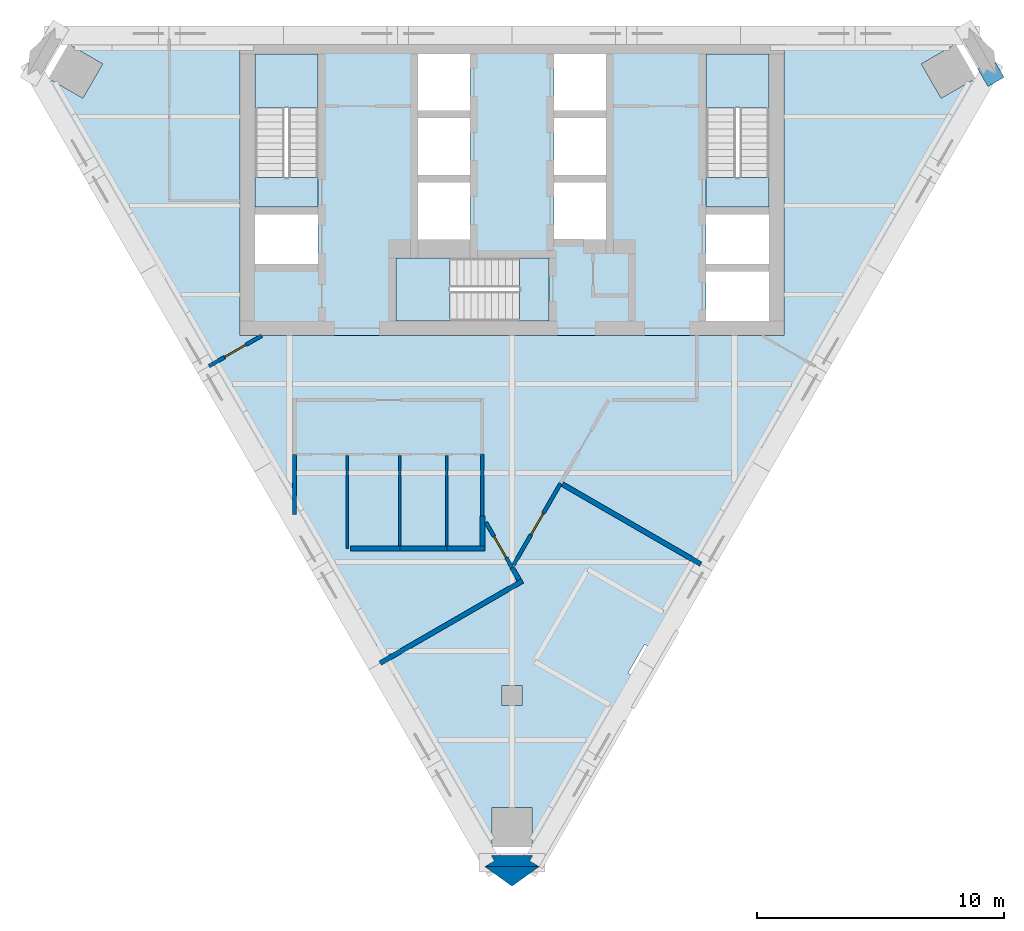
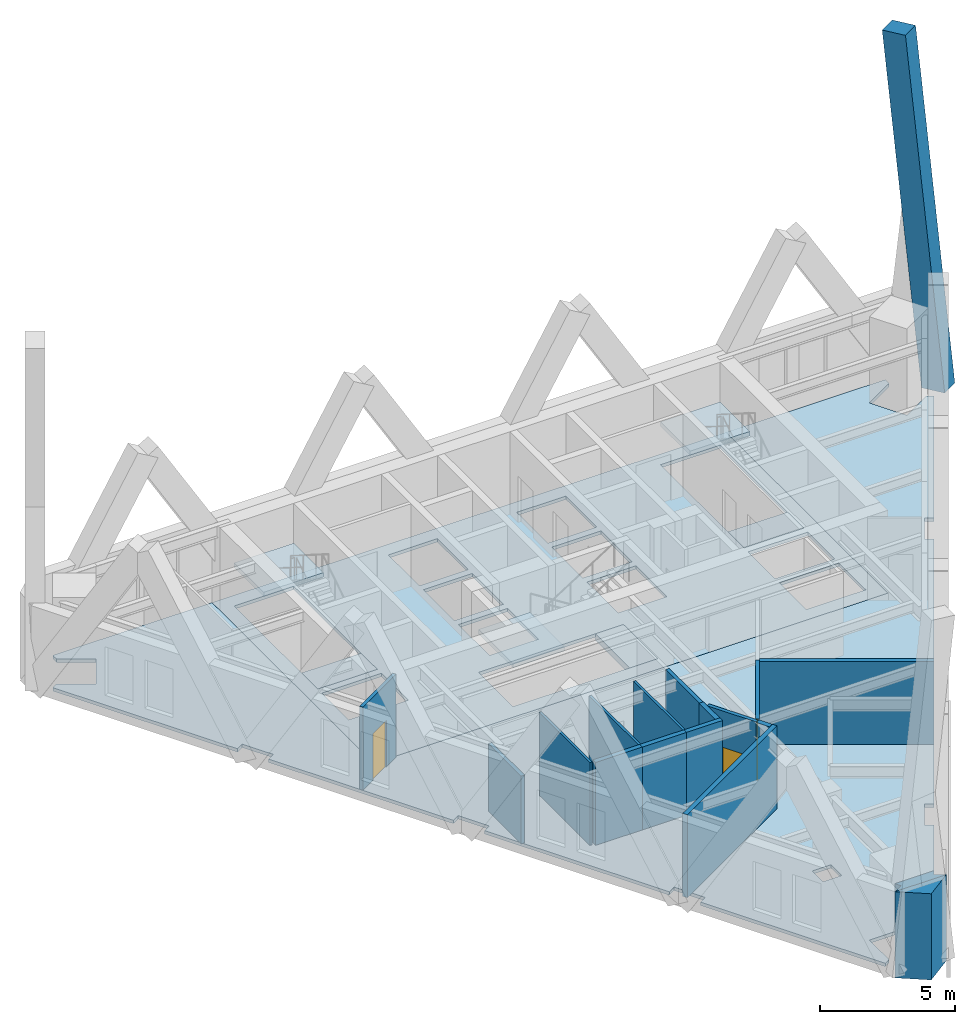
# One storey, part 2 of 7: 17 walls, 8 slabs, 3 doors, 1 member, 3 openings, 3 elements without a shape of their own.
"""IFC4 building model written with IfcOpenShell, lengths in metres."""

from ifc_helpers import new_model, si_unit, direction, frame, frame_2d, origin, origin_2d, place, context, subcontext, project, spatial, polyline, rectangle, outline, extrude, material, layer, layer_set, material_profile, profile_set, type_object, element, fill, aggregate, save


model = new_model("IFC4")

# Units and contexts
model_context = context("Model", 3, precision=1e-05, world=origin(), true_north=direction((0.0, 1.0)))
body_context = subcontext(model_context, "Body", "Model", "MODEL_VIEW")
ifc_project = project(units=[si_unit("LENGTHUNIT", "METRE"), si_unit("AREAUNIT", "SQUARE_METRE"), si_unit("VOLUMEUNIT", "CUBIC_METRE"), si_unit("PLANEANGLEUNIT", "RADIAN"), si_unit("MASSUNIT", "GRAM", prefix="KILO")], contexts=[model_context])

# Site, building, storey
site_placement = place(None, origin())
site = spatial("IfcSite", under=ifc_project, at=site_placement, CompositionType="ELEMENT")
building_placement = place(site_placement, origin())
building = spatial("IfcBuilding", under=site, at=building_placement, Name="Aloe Facet Convention Tower", CompositionType="ELEMENT")
storey_placement = place(building_placement, frame((0.0, 0.0, 269.89990234375)))
storey = spatial("IfcBuildingStorey", under=building, at=storey_placement, Name="L66", CompositionType="ELEMENT", Elevation=269.89990234375)

# Member
ifc_material_1 = material(Name="Concrete C60/75, bronze oxide finish", Category="concrete")
ifc_material_profile = material_profile(ifc_material_1, rectangle(XDim=0.75, YDim=1.0, at=origin_2d()), Name="STW-LM")
ifc_profile_set = profile_set([ifc_material_profile], Name="Concrete C60/75, bronze oxide finish")
member_type = type_object("IfcMemberType", Name="STW-LM", PredefinedType="BRACE", material=ifc_profile_set)
member_placement = place(storey_placement, frame((99.326416015625, 133.24462890625, 0.0), z_axis=(-0.053557242948, 0.09275268019, 0.994247736756), x_axis=(-0.865999293341, -0.500045221889, 0.0)))
element("IfcMember", 1, at=member_placement, inside=storey, type_object=member_type, Name="Lattice member LM-Z5-F6-R4-01", PredefinedType="BRACE", context=body_context, shape_type="SweptSolid", body=[
    extrude(rectangle(XDim=0.75, YDim=1.0, at=origin_2d()), origin(), (0.0, 0.0, 1.0), 15.6904296875),
])

# Slabs
ifc_material_2 = material(Name="Concrete C50/60", Category="concrete")
ifc_layer_1 = layer(ifc_material_2, 0.14990234375)
ifc_layer_set_1 = layer_set([ifc_layer_1], Name="CR-S-FLOOR150-C5060")
slab_type_1 = type_object("IfcSlabType", Name="CR-S-FLOOR150-C5060", PredefinedType="FLOOR", material=ifc_layer_set_1)
slab_1_placement = place(storey_placement, frame((0.0, 0.0, -0.14990234375)))
element("IfcSlab", 2, at=slab_1_placement, inside=storey, type_object=slab_type_1, Name="Core floor L66", PredefinedType="FLOOR", context=body_context, shape_type="SweptSolid", body=[
    extrude(outline(polyline([(71.85009765625, 134.550048828125), (72.75, 134.550048828125), (75.60009765625, 134.550048828125), (76.5, 134.550048828125), (78.0, 134.550048828125), (78.89990234375, 134.550048828125), (81.10009765625, 134.550048828125), (82.0, 134.550048828125), (83.5, 134.550048828125), (84.39990234375, 134.550048828125), (87.25, 134.550048828125), (88.14990234375, 134.550048828125), (91.0, 134.550048828125), (91.0, 128.050048828125), (91.0, 127.14990234375), (91.0, 125.75), (91.0, 124.85009765625), (91.0, 122.550048828125), (88.14990234375, 122.550048828125), (87.25, 122.550048828125), (85.300048828125, 122.550048828125), (84.39990234375, 122.550048828125), (82.10009765625, 122.550048828125), (81.199951171875, 122.550048828125), (75.60009765625, 122.550048828125), (74.699951171875, 122.550048828125), (72.75, 122.550048828125), (71.85009765625, 122.550048828125), (69.0, 122.550048828125), (69.0, 124.85009765625), (69.0, 125.75), (69.0, 127.14990234375), (69.0, 128.050048828125), (69.0, 134.550048828125), (71.85009765625, 134.550048828125)]), holes=[polyline([(80.298828125, 123.14990234375), (81.5, 123.14990234375), (81.5, 125.699951171875), (80.298828125, 125.699951171875), (75.300048828125, 125.699951171875), (75.300048828125, 123.14990234375), (80.298828125, 123.14990234375)]), polyline([(69.60009765625, 125.449951171875), (72.14990234375, 125.449951171875), (72.14990234375, 127.449951171875), (69.60009765625, 127.449951171875), (69.60009765625, 125.449951171875)]), polyline([(76.199951171875, 126.449951171875), (78.300048828125, 126.449951171875), (78.300048828125, 128.75), (76.199951171875, 128.75), (76.199951171875, 126.449951171875)]), polyline([(78.300048828125, 129.050048828125), (78.300048828125, 131.35009765625), (76.199951171875, 131.35009765625), (76.199951171875, 129.050048828125), (78.300048828125, 129.050048828125)]), polyline([(69.60009765625, 133.949951171875), (69.60009765625, 128.951171875), (69.60009765625, 127.75), (72.14990234375, 127.75), (72.14990234375, 128.951171875), (72.14990234375, 133.949951171875), (69.60009765625, 133.949951171875)]), polyline([(76.199951171875, 131.64990234375), (78.300048828125, 131.64990234375), (78.300048828125, 133.949951171875), (76.199951171875, 133.949951171875), (76.199951171875, 131.64990234375)]), polyline([(90.39990234375, 123.14990234375), (90.39990234375, 125.14990234375), (87.85009765625, 125.14990234375), (87.85009765625, 123.14990234375), (90.39990234375, 123.14990234375)]), polyline([(87.85009765625, 125.449951171875), (90.39990234375, 125.449951171875), (90.39990234375, 127.449951171875), (87.85009765625, 127.449951171875), (87.85009765625, 125.449951171875)]), polyline([(81.699951171875, 126.449951171875), (83.800048828125, 126.449951171875), (83.800048828125, 128.75), (81.699951171875, 128.75), (81.699951171875, 126.449951171875)]), polyline([(83.800048828125, 129.050048828125), (83.800048828125, 131.35009765625), (81.699951171875, 131.35009765625), (81.699951171875, 129.050048828125), (83.800048828125, 129.050048828125)]), polyline([(87.85009765625, 133.949951171875), (87.85009765625, 128.951171875), (87.85009765625, 127.75), (90.39990234375, 127.75), (90.39990234375, 128.951171875), (90.39990234375, 133.949951171875), (87.85009765625, 133.949951171875)]), polyline([(81.699951171875, 131.64990234375), (83.800048828125, 131.64990234375), (83.800048828125, 133.949951171875), (81.699951171875, 133.949951171875), (81.699951171875, 131.64990234375)])]), origin(), (0.0, 0.0, 1.0), 0.14990234375),
])
ifc_material_3 = material(Name="Concrete C50/60", Category="concrete")
ifc_layer_2 = layer(ifc_material_3, 0.300048828125)
ifc_layer_set_2 = layer_set([ifc_layer_2], Name="CR-S-FLOOR300-C5060")
slab_type_2 = type_object("IfcSlabType", Name="CR-S-FLOOR300-C5060", PredefinedType="FLOOR", material=ifc_layer_set_2)
slab_2_placement = place(storey_placement, frame((0.0, 0.0, -0.2998046875)))
element("IfcSlab", 3, at=slab_2_placement, inside=storey, type_object=slab_type_2, Name="Stair landing floor L66", PredefinedType="FLOOR", context=body_context, shape_type="SweptSolid", body=[
    extrude(outline(polyline([(72.14990234375, 127.75), (72.14990234375, 128.951171875), (69.60009765625, 128.951171875), (69.60009765625, 127.75), (72.14990234375, 127.75)])), origin(), (0.0, 0.0, 1.0), 0.2998046875),
])
slab_3_placement = place(storey_placement, frame((0.0, 0.0, -0.2998046875)))
element("IfcSlab", 4, at=slab_3_placement, inside=storey, type_object=slab_type_2, Name="Stair landing floor L66", PredefinedType="FLOOR", context=body_context, shape_type="SweptSolid", body=[
    extrude(outline(polyline([(90.39990234375, 127.75), (90.39990234375, 128.951171875), (87.85009765625, 128.951171875), (87.85009765625, 127.75), (90.39990234375, 127.75)])), origin(), (0.0, 0.0, 1.0), 0.2998046875),
])
slab_4_placement = place(storey_placement, frame((0.0, 0.0, -0.2998046875)))
element("IfcSlab", 5, at=slab_4_placement, inside=storey, type_object=slab_type_2, Name="Stair landing floor L66", PredefinedType="FLOOR", context=body_context, shape_type="SweptSolid", body=[
    extrude(outline(polyline([(81.5, 125.699951171875), (80.298828125, 125.699951171875), (80.298828125, 123.14990234375), (81.5, 123.14990234375), (81.5, 125.699951171875)])), origin(), (0.0, 0.0, 1.0), 0.2998046875),
])

# Stair, slab
ifc_material_4 = material(Name="Concrete C50/60", Category="concrete")
stair_type = type_object("IfcStairType", Name="CR-ST-22R", PredefinedType="HALF_TURN_STAIR", material=ifc_material_4)
stair_1_placement = place(storey_placement, origin())
stair_1 = element("IfcStair", 6, at=stair_1_placement, inside=storey, type_object=stair_type, Name="L66 Protected exit stair ST1", PredefinedType="HALF_TURN_STAIR")
ifc_material_5 = material(Name="Concrete C50/60", Category="concrete")
ifc_layer_3 = layer(ifc_material_5, 0.199951171875)
ifc_layer_set_3 = layer_set([ifc_layer_3], Name="CR-SL-LANDING")
slab_type_3 = type_object("IfcSlabType", Name="CR-SL-LANDING", PredefinedType="LANDING", material=ifc_layer_set_3)
slab_5_placement = place(storey_placement, frame((0.0, 0.0, 1.75)))
slab_5 = element("IfcSlab", 7, at=slab_5_placement, type_object=slab_type_3, Name="ST1 landing 1", PredefinedType="LANDING", context=body_context, shape_type="SweptSolid", body=[
    extrude(outline(polyline([(72.14990234375, 131.75), (72.14990234375, 133.949951171875), (69.60009765625, 133.949951171875), (69.60009765625, 131.75), (72.14990234375, 131.75)])), origin(), (0.0, 0.0, 1.0), 0.2001953125),
])
aggregate(stair_1, [slab_5])

stair_2_placement = place(storey_placement, origin())
stair_2 = element("IfcStair", 8, at=stair_2_placement, inside=storey, type_object=stair_type, Name="L66 Protected exit stair ST2", PredefinedType="HALF_TURN_STAIR")
slab_6_placement = place(storey_placement, frame((0.0, 0.0, 1.75)))
slab_6 = element("IfcSlab", 9, at=slab_6_placement, type_object=slab_type_3, Name="ST2 landing 1", PredefinedType="LANDING", context=body_context, shape_type="SweptSolid", body=[
    extrude(outline(polyline([(90.39990234375, 131.75), (90.39990234375, 133.949951171875), (87.85009765625, 133.949951171875), (87.85009765625, 131.75), (90.39990234375, 131.75)])), origin(), (0.0, 0.0, 1.0), 0.2001953125),
])
aggregate(stair_2, [slab_6])

stair_3_placement = place(storey_placement, origin())
stair_3 = element("IfcStair", 10, at=stair_3_placement, inside=storey, type_object=stair_type, Name="L66 Protected exit stair ST3", PredefinedType="HALF_TURN_STAIR")
slab_7_placement = place(storey_placement, frame((0.0, 0.0, 1.75)))
slab_7 = element("IfcSlab", 11, at=slab_7_placement, type_object=slab_type_3, Name="ST3 landing 1", PredefinedType="LANDING", context=body_context, shape_type="SweptSolid", body=[
    extrude(outline(polyline([(77.5, 125.699951171875), (75.300048828125, 125.699951171875), (75.300048828125, 123.14990234375), (77.5, 123.14990234375), (77.5, 125.699951171875)])), origin(), (0.0, 0.0, 1.0), 0.2001953125),
])
aggregate(stair_3, [slab_7])

# Slab
ifc_material_6 = material(Name="Concrete C35/45", Category="concrete")
ifc_layer_4 = layer(ifc_material_6, 0.14990234375)
ifc_layer_set_4 = layer_set([ifc_layer_4], Name="SF-FS-150")
slab_type_4 = type_object("IfcSlabType", Name="SF-FS-150", PredefinedType="FLOOR", material=ifc_layer_set_4)
slab_8_placement = place(storey_placement, frame((0.0, 0.0, -0.14990234375)))
element("IfcSlab", 12, at=slab_8_placement, inside=storey, type_object=slab_type_4, Name="Floor slab L66-1", PredefinedType="FLOOR", context=body_context, shape_type="SweptSolid", body=[
    extrude(outline(polyline([(94.909912109375, 125.895263671875), (94.606689453125, 126.0703125), (94.5625, 125.993408203125), (94.498291015625, 125.88232421875), (94.3984375, 125.709228515625), (93.936767578125, 124.90966796875), (94.239990234375, 124.734619140625), (90.288330078125, 117.890380859375), (89.9853515625, 118.0654296875), (89.94091796875, 117.988525390625), (89.650390625, 117.4853515625), (89.423583984375, 117.093017578125), (89.359619140625, 116.98193359375), (89.315185546875, 116.905029296875), (89.618408203125, 116.72998046875), (85.6669921875, 109.8857421875), (85.36376953125, 110.060791015625), (85.3193359375, 109.98388671875), (85.117431640625, 109.634033203125), (85.056396484375, 109.52880859375), (85.04541015625, 109.509521484375), (85.02880859375, 109.48046875), (84.902099609375, 109.26123046875), (84.738037109375, 108.977294921875), (84.693603515625, 108.900146484375), (84.996826171875, 108.72509765625), (81.04541015625, 101.881103515625), (80.800048828125, 102.022705078125), (80.800048828125, 103.475830078125), (79.199951171875, 103.475830078125), (79.199951171875, 102.022705078125), (78.95458984375, 101.881103515625), (75.003173828125, 108.72509765625), (75.306396484375, 108.900146484375), (75.261962890625, 108.977294921875), (75.097900390625, 109.26123046875), (74.97119140625, 109.48046875), (74.943603515625, 109.52880859375), (74.6806640625, 109.98388671875), (74.63623046875, 110.060791015625), (74.3330078125, 109.8857421875), (70.381591796875, 116.72998046875), (70.684814453125, 116.905029296875), (70.640380859375, 116.98193359375), (70.576416015625, 117.093017578125), (70.476318359375, 117.26611328125), (70.10693359375, 117.90576171875), (70.05908203125, 117.988525390625), (70.0146484375, 118.0654296875), (69.711669921875, 117.890380859375), (65.760009765625, 124.734619140625), (66.063232421875, 124.90966796875), (66.018798828125, 124.98681640625), (65.936767578125, 125.12890625), (65.850830078125, 125.277587890625), (65.728271484375, 125.489990234375), (65.4375, 125.993408203125), (65.393310546875, 126.0703125), (65.090087890625, 125.895263671875), (61.138671875, 132.739501953125), (61.3837890625, 132.881103515625), (62.642333984375, 132.154541015625), (63.4423828125, 133.540283203125), (62.183837890625, 134.2666015625), (62.183837890625, 134.550048828125), (69.0, 134.550048828125), (69.0, 128.050048828125), (69.0, 127.14990234375), (69.0, 125.75), (69.0, 124.85009765625), (69.0, 122.550048828125), (71.85009765625, 122.550048828125), (72.75, 122.550048828125), (74.699951171875, 122.550048828125), (75.60009765625, 122.550048828125), (81.199951171875, 122.550048828125), (82.10009765625, 122.550048828125), (84.39990234375, 122.550048828125), (85.300048828125, 122.550048828125), (87.25, 122.550048828125), (88.14990234375, 122.550048828125), (91.0, 122.550048828125), (91.0, 124.85009765625), (91.0, 125.75), (91.0, 127.14990234375), (91.0, 128.050048828125), (91.0, 134.550048828125), (97.816162109375, 134.550048828125), (97.816162109375, 134.2666015625), (96.5576171875, 133.540283203125), (97.357666015625, 132.154541015625), (98.6162109375, 132.881103515625), (98.861328125, 132.739501953125), (94.909912109375, 125.895263671875)]), holes=[polyline([(79.60009765625, 107.60009765625), (80.39990234375, 107.60009765625), (80.39990234375, 108.39990234375), (79.60009765625, 108.39990234375), (79.60009765625, 107.60009765625)])]), origin(), (0.0, 0.0, 1.0), 0.14990234375),
])

# Walls
ifc_material_7 = material(Name="Precast concrete C40/50", Category="concrete")
ifc_layer_5 = layer(ifc_material_7, 0.449951171875)
ifc_layer_set_5 = layer_set([ifc_layer_5], Name="EV-WALL-PIER")
wall_type_1 = type_object("IfcWallType", Name="EV-WALL-PIER", PredefinedType="SOLIDWALL", material=ifc_layer_set_5)
wall_1_placement = place(storey_placement, frame((0.0, 0.0, -0.14990234375)))
element("IfcWall", 13, at=wall_1_placement, inside=storey, type_object=wall_type_1, Name="EP-L66-B", PredefinedType="SOLIDWALL", context=body_context, shape_type="SweptSolid", body=[
    extrude(outline(polyline([(78.89990234375, 101.07568359375), (79.289794921875, 101.30078125), (79.159912109375, 101.52587890625), (80.840087890625, 101.52587890625), (80.710205078125, 101.30078125), (81.10009765625, 101.07568359375), (78.89990234375, 101.07568359375)])), origin(), (0.0, 0.0, 1.0), 3.89990234375),
])
ifc_material_8 = material(Name="Precast concrete C40/50", Category="concrete")
ifc_layer_6 = layer(ifc_material_8, 3.947998046875)
ifc_layer_set_6 = layer_set([ifc_layer_6], Name="EV-WALL-SPINE")
wall_type_2 = type_object("IfcWallType", Name="EV-WALL-SPINE", PredefinedType="SOLIDWALL", material=ifc_layer_set_6)
wall_2_placement = place(storey_placement, frame((0.0, 0.0, -0.14990234375)))
element("IfcWall", 14, at=wall_2_placement, inside=storey, type_object=wall_type_2, Name="SP-S-L66", PredefinedType="SOLIDWALL", context=body_context, shape_type="SweptSolid", body=[
    extrude(outline(polyline([(78.89990234375, 101.07568359375), (80.0, 100.28076171875), (81.10009765625, 101.07568359375), (78.89990234375, 101.07568359375)])), origin(), (0.0, 0.0, 1.0), 3.89990234375),
])

# Wall, opening, door
ifc_material_9 = material(Name="Gypsum board partition on steel studs", Category="steel")
ifc_layer_7 = layer(ifc_material_9, 0.14990234375)
ifc_layer_set_7 = layer_set([ifc_layer_7], Name="IN-W-CORR")
wall_type_3 = type_object("IfcWallType", Name="IN-W-CORR", PredefinedType="PARTITIONING", material=ifc_layer_set_7)
wall_3_placement = place(storey_placement, frame((78.945068359375, 114.997802734375, 0.0), z_axis=(0.0, 0.0, 1.0), x_axis=(0.499959494327, -0.866048788483, 0.0)))
wall_3 = element("IfcWall", 15, at=wall_3_placement, inside=storey, type_object=wall_type_3, Name="Partition L66-W003", PredefinedType="PARTITIONING", context=body_context, shape_type="SweptSolid", body=[
    extrude(rectangle(XDim=2.110107421875, YDim=0.14990234375, at=frame_2d((1.05517578125, 0.0))), origin(), (0.0, 0.0, 1.0), 3.75),
])
opening_1_placement = place(wall_3_placement, frame((0.656982421875, 0.0, 0.0)))
opening_1 = element("IfcOpeningElement", 16, at=opening_1_placement, cuts=wall_3, Name="Opening L66-009", PredefinedType="OPENING", context=body_context, shape_type="SweptSolid", body=[
    extrude(rectangle(XDim=1.0, YDim=2.10009765625, at=frame_2d((0.5, 1.050048828125))), frame((0.0, 0.0849609375, 0.0), z_axis=(0.0, -1.0, 0.0), x_axis=(1.0, 0.0, 0.0)), (0.0, 0.0, 1.0), 0.169921875),
])
ifc_material_10 = material(Name="Timber door FD30S with vision panel", Category="wood")
door_type = type_object("IfcDoorType", Name="IN-OFF-D-ENTRY", OperationType="SINGLE_SWING_LEFT", PredefinedType="DOOR", material=ifc_material_10)
door_1_placement = place(opening_1_placement, origin())
door_1 = element("IfcDoor", 17, at=door_1_placement, inside=storey, type_object=door_type, Name="Door L66-009", OperationType="SINGLE_SWING_LEFT", OverallHeight=2.10009765625, OverallWidth=1.0, PredefinedType="DOOR", context=body_context, shape_type="SweptSolid", body=[
    extrude(rectangle(XDim=1.0, YDim=2.10009765625, at=frame_2d((0.5, 1.050048828125))), frame((0.0, 0.02490234375, 0.0), z_axis=(0.0, -1.0, 0.0), x_axis=(1.0, 0.0, 0.0)), (0.0, 0.0, 1.0), 0.050048828125),
])
fill(opening_1, door_1)

# Wall
wall_4_placement = place(storey_placement, frame((78.800048828125, 115.2490234375, 0.0), z_axis=(0.0, 0.0, 1.0), x_axis=(0.0, 1.0, 0.0)))
element("IfcWall", 18, at=wall_4_placement, inside=storey, type_object=wall_type_3, Name="Partition L66-W009", PredefinedType="PARTITIONING", context=body_context, shape_type="SweptSolid", body=[
    extrude(rectangle(XDim=2.510986328125, YDim=0.14990234375, at=frame_2d((1.25537109375, 0.0))), origin(), (0.0, 0.0, 1.0), 3.75),
])

# Wall, opening, door
wall_5_placement = place(storey_placement, frame((80.06005859375, 113.2744140625, 0.0), z_axis=(0.0, 0.0, 1.0), x_axis=(0.499987977232, 0.866032345022, 0.0)))
wall_5 = element("IfcWall", 19, at=wall_5_placement, inside=storey, type_object=wall_type_3, Name="Partition L66-W010", PredefinedType="PARTITIONING", context=body_context, shape_type="SweptSolid", body=[
    extrude(rectangle(XDim=3.8203125, YDim=0.14990234375, at=frame_2d((1.91015625, 0.0))), origin(), (0.0, 0.0, 1.0), 3.75),
])
opening_2_placement = place(wall_5_placement, frame((1.41015625, 0.0, 0.0)))
opening_2 = element("IfcOpeningElement", 20, at=opening_2_placement, cuts=wall_5, Name="Opening L66-010", PredefinedType="OPENING", context=body_context, shape_type="SweptSolid", body=[
    extrude(rectangle(XDim=1.0, YDim=2.10009765625, at=frame_2d((0.5, 1.050048828125))), frame((0.0, 0.0849609375, 0.0), z_axis=(0.0, -1.0, 0.0), x_axis=(1.0, 0.0, 0.0)), (0.0, 0.0, 1.0), 0.169921875),
])
door_2_placement = place(opening_2_placement, origin())
door_2 = element("IfcDoor", 21, at=door_2_placement, inside=storey, type_object=door_type, Name="Door L66-010", OperationType="SINGLE_SWING_LEFT", OverallHeight=2.10009765625, OverallWidth=1.0, PredefinedType="DOOR", context=body_context, shape_type="SweptSolid", body=[
    extrude(rectangle(XDim=1.0, YDim=2.10009765625, at=frame_2d((0.5, 1.050048828125))), frame((0.0, 0.02490234375, 0.0), z_axis=(0.0, -1.0, 0.0), x_axis=(1.0, 0.0, 0.0)), (0.0, 0.0, 1.0), 0.050048828125),
])
fill(opening_2, door_2)

# Wall
wall_6_placement = place(storey_placement, frame((71.199951171875, 115.312744140625, 0.0), z_axis=(0.0, 0.0, 1.0), x_axis=(0.0, 1.0, 0.0)))
element("IfcWall", 22, at=wall_6_placement, inside=storey, type_object=wall_type_3, Name="Partition L66-W019", PredefinedType="PARTITIONING", context=body_context, shape_type="SweptSolid", body=[
    extrude(rectangle(XDim=2.437255859375, YDim=0.14990234375, at=frame_2d((1.21875, 0.0))), origin(), (0.0, 0.0, 1.0), 3.062255859375),
])

# Wall, opening, door
wall_7_placement = place(storey_placement, frame((67.74462890625, 121.317626953125, 0.0), z_axis=(0.0, 0.0, 1.0), x_axis=(0.865990916707, 0.500059728613, 0.0)))
wall_7 = element("IfcWall", 23, at=wall_7_placement, inside=storey, type_object=wall_type_3, Name="Partition L66-W024", PredefinedType="PARTITIONING", context=body_context, shape_type="SweptSolid", body=[
    extrude(rectangle(XDim=2.464599609375, YDim=0.14990234375, at=frame_2d((1.232421875, 0.0))), origin(), (0.0, 0.0, 1.0), 3.75),
])
opening_3_placement = place(wall_7_placement, frame((0.732177734375, 0.0, 0.0)))
opening_3 = element("IfcOpeningElement", 24, at=opening_3_placement, cuts=wall_7, Name="Opening L66-008", PredefinedType="OPENING", context=body_context, shape_type="SweptSolid", body=[
    extrude(rectangle(XDim=1.0, YDim=2.10009765625, at=frame_2d((0.5, 1.050048828125))), frame((0.0, 0.0849609375, 0.0), z_axis=(0.0, -1.0, 0.0), x_axis=(1.0, 0.0, 0.0)), (0.0, 0.0, 1.0), 0.169921875),
])
door_3_placement = place(opening_3_placement, origin())
door_3 = element("IfcDoor", 25, at=door_3_placement, inside=storey, type_object=door_type, Name="Door L66-008", OperationType="SINGLE_SWING_LEFT", OverallHeight=2.10009765625, OverallWidth=1.0, PredefinedType="DOOR", context=body_context, shape_type="SweptSolid", body=[
    extrude(rectangle(XDim=1.0, YDim=2.10009765625, at=frame_2d((0.5, 1.050048828125))), frame((0.0, 0.02490234375, 0.0), z_axis=(0.0, -1.0, 0.0), x_axis=(1.0, 0.0, 0.0)), (0.0, 0.0, 1.0), 0.050048828125),
])
fill(opening_3, door_3)

# Walls
ifc_material_11 = material(Name="Gypsum board partition on steel studs", Category="steel")
ifc_layer_8 = layer(ifc_material_11, 0.10009765625)
ifc_layer_set_8 = layer_set([ifc_layer_8], Name="IN-W-PART")
wall_type_4 = type_object("IfcWallType", Name="IN-W-PART", PredefinedType="PARTITIONING", material=ifc_layer_set_8)
wall_8_placement = place(storey_placement, frame((73.327880859375, 113.949951171875, 0.0), z_axis=(0.0, 0.0, 1.0), x_axis=(0.0, 1.0, 0.0)))
element("IfcWall", 26, at=wall_8_placement, inside=storey, type_object=wall_type_4, Name="Partition L66-W012", PredefinedType="PARTITIONING", context=body_context, shape_type="SweptSolid", body=[
    extrude(rectangle(XDim=3.75, YDim=0.10009765625, at=frame_2d((1.875, 0.0))), origin(), (0.0, 0.0, 1.0), 3.75),
])
for number, where, z_axis, x_axis, name in (
    (27, (75.4658203125, 114.050048828125, 0.0), (0.0, 0.0, 1.0), (-0.002675575707, 0.999996420641, 0.0), "Partition L66-W014"),
    (28, (77.36572265625, 114.050048828125, 0.0), (0.0, 0.0, 1.0), (-0.002608686776, 0.999996597371, 0.0), "Partition L66-W016"),
):
    element("IfcWall", number, at=place(storey_placement, frame(where, z_axis=z_axis, x_axis=x_axis)), inside=storey, type_object=wall_type_4, Name=name, PredefinedType="PARTITIONING", context=body_context, shape_type="SweptSolid", body=[
        extrude(rectangle(XDim=3.64990234375, YDim=0.10009765625, at=frame_2d((1.824951171875, 0.0))), origin(), (0.0, 0.0, 1.0), 3.75),
    ])
ifc_material_12 = material(Name="Gypsum board partition on steel studs", Category="steel")
ifc_layer_9 = layer(ifc_material_12, 0.199951171875)
ifc_layer_set_9 = layer_set([ifc_layer_9], Name="IN-W-PARTY")
wall_type_5 = type_object("IfcWallType", Name="IN-W-PARTY", PredefinedType="PARTITIONING", material=ifc_layer_set_9)
wall_9_placement = place(storey_placement, frame((74.668212890625, 109.3056640625, 0.0), z_axis=(0.0, 0.0, 1.0), x_axis=(0.866026581292, 0.499997960491, 0.0)))
element("IfcWall", 29, at=wall_9_placement, inside=storey, type_object=wall_type_5, Name="Partition L66-W001", PredefinedType="PARTITIONING", context=body_context, shape_type="SweptSolid", body=[
    extrude(rectangle(XDim=6.64794921875, YDim=0.199951171875, at=frame_2d((3.323974609375, 0.0))), origin(), (0.0, 0.0, 1.0), 3.75),
])
wall_10_placement = place(storey_placement, frame((80.0, 113.17041015625, 0.0), z_axis=(0.0, 0.0, 1.0), x_axis=(0.497611459221, -0.867400043608, 0.0)))
element("IfcWall", 30, at=wall_10_placement, inside=storey, type_object=wall_type_5, Name="Partition L66-W002", PredefinedType="PARTITIONING", context=body_context, shape_type="SweptSolid", body=[
    extrude(rectangle(XDim=0.571044921875, YDim=0.199951171875, at=frame_2d((0.28564453125, 0.0))), origin(), (0.0, 0.0, 1.0), 3.75),
])
wall_11_placement = place(storey_placement, frame((82.043701171875, 116.540283203125, 0.0), z_axis=(0.0, 0.0, 1.0), x_axis=(0.86603151488, -0.499989415123, 0.0)))
element("IfcWall", 31, at=wall_11_placement, inside=storey, type_object=wall_type_5, Name="Partition L66-W004", PredefinedType="PARTITIONING", context=body_context, shape_type="SweptSolid", body=[
    extrude(rectangle(XDim=6.465087890625, YDim=0.199951171875, at=frame_2d((3.232421875, 0.0))), origin(), (0.0, 0.0, 1.0), 3.75),
])
wall_12_placement = place(storey_placement, frame((73.469482421875, 113.949951171875, 0.0), z_axis=(0.0, 0.0, 1.0), x_axis=(1.0, 0.0, 0.0)))
element("IfcWall", 32, at=wall_12_placement, inside=storey, type_object=wall_type_5, Name="Partition L66-W005", PredefinedType="PARTITIONING", context=body_context, shape_type="SweptSolid", body=[
    extrude(rectangle(XDim=1.99658203125, YDim=0.199951171875, at=frame_2d((0.998291015625, 0.0))), origin(), (0.0, 0.0, 1.0), 3.75),
])
wall_13_placement = place(storey_placement, frame((75.466064453125, 113.949951171875, 0.0), z_axis=(0.0, 0.0, 1.0), x_axis=(1.0, 0.0, 0.0)))
element("IfcWall", 33, at=wall_13_placement, inside=storey, type_object=wall_type_5, Name="Partition L66-W006", PredefinedType="PARTITIONING", context=body_context, shape_type="SweptSolid", body=[
    extrude(rectangle(XDim=1.89990234375, YDim=0.199951171875, at=frame_2d((0.949951171875, 0.0))), origin(), (0.0, 0.0, 1.0), 3.75),
])
wall_14_placement = place(storey_placement, frame((77.365966796875, 113.949951171875, 0.0), z_axis=(0.0, 0.0, 1.0), x_axis=(1.0, 0.0, 0.0)))
element("IfcWall", 34, at=wall_14_placement, inside=storey, type_object=wall_type_5, Name="Partition L66-W007", PredefinedType="PARTITIONING", context=body_context, shape_type="SweptSolid", body=[
    extrude(rectangle(XDim=1.533935546875, YDim=0.199951171875, at=frame_2d((0.76708984375, 0.0))), origin(), (0.0, 0.0, 1.0), 3.75),
])
wall_15_placement = place(storey_placement, frame((78.800048828125, 114.050048828125, 0.0), z_axis=(0.0, 0.0, 1.0), x_axis=(0.0, 1.0, 0.0)))
element("IfcWall", 35, at=wall_15_placement, inside=storey, type_object=wall_type_5, Name="Partition L66-W008", PredefinedType="PARTITIONING", context=body_context, shape_type="SweptSolid", body=[
    extrude(rectangle(XDim=1.198974609375, YDim=0.199951171875, at=frame_2d((0.599609375, 0.0))), origin(), (0.0, 0.0, 1.0), 3.75),
])

save(model, "model.ifc")
